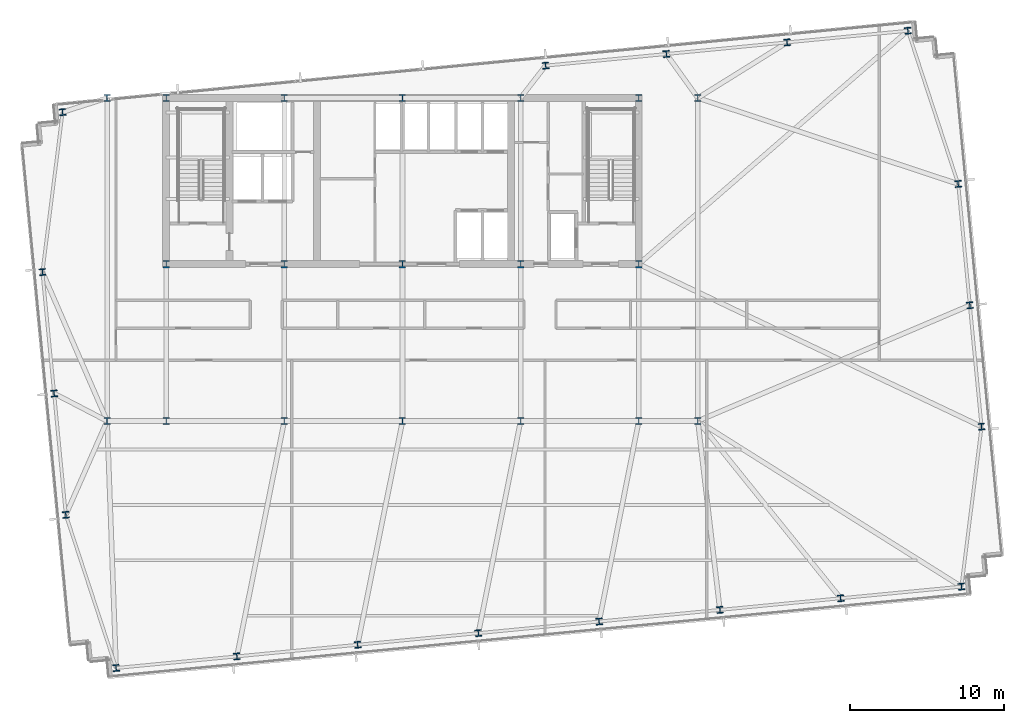
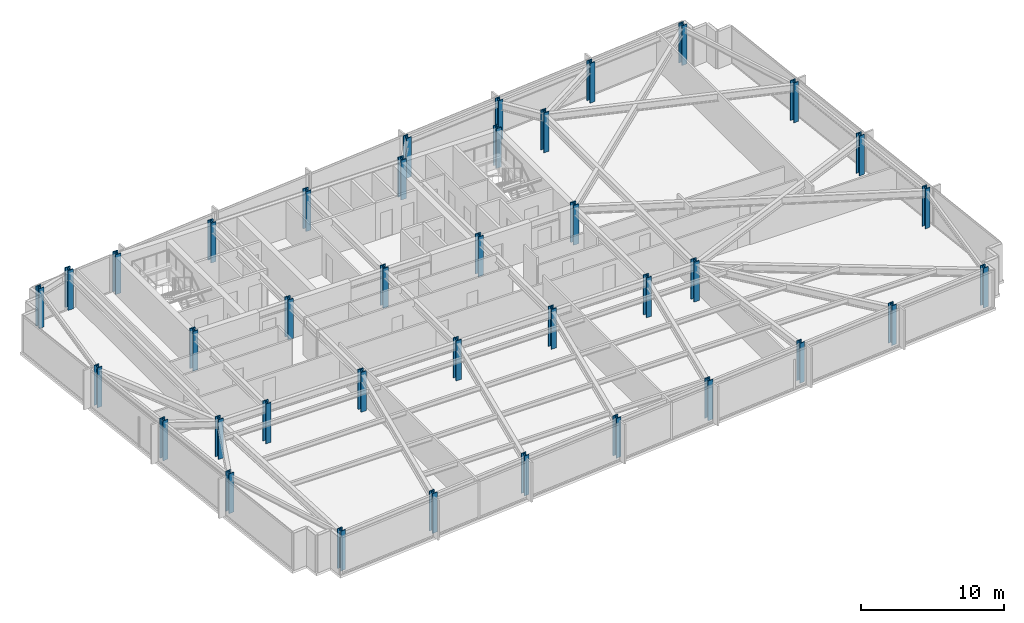
# One storey, part 1 of 32: 38 columns.
"""IFC4 building model written with IfcOpenShell, lengths in metres."""

from ifc_helpers import new_model, si_unit, direction, frame, origin, origin_2d, place, context, subcontext, project, spatial, i_section, extrude, material, material_profile, profile_set, type_object, element, save


model = new_model("IFC4")

# Units and contexts
model_context = context("Model", 3, precision=1e-05, world=origin(), true_north=direction((0.0, 1.0)))
body_context = subcontext(model_context, "Body", "Model", "MODEL_VIEW")
ifc_project = project(units=[si_unit("LENGTHUNIT", "METRE"), si_unit("AREAUNIT", "SQUARE_METRE"), si_unit("VOLUMEUNIT", "CUBIC_METRE"), si_unit("PLANEANGLEUNIT", "RADIAN"), si_unit("MASSUNIT", "GRAM", prefix="KILO")], contexts=[model_context])

# Site, building, storey
site_placement = place(None, origin())
site = spatial("IfcSite", under=ifc_project, at=site_placement, CompositionType="ELEMENT")
building_placement = place(site_placement, origin())
building = spatial("IfcBuilding", under=site, at=building_placement, Name="Yelkora Congress Tower", CompositionType="ELEMENT")
storey_placement = place(building_placement, frame((0.0, 0.0, 120.300048828125)))
storey = spatial("IfcBuildingStorey", under=building, at=storey_placement, Name="L32", CompositionType="ELEMENT", Elevation=120.300048828125)

# Columns
ifc_material = material(Name="Steel S460M", Category="steel")
ifc_material_profile_1 = material_profile(ifc_material, i_section(OverallWidth=0.412109375, OverallDepth=0.43505859375, WebThickness=0.035888671875, FlangeThickness=0.05810546875, FilletRadius=0.014892578125, at=origin_2d()), Name="HD 400x463")
ifc_profile_set_1 = profile_set([ifc_material_profile_1], Name="Steel S460M")
column_type_1 = type_object("IfcColumnType", Name="COL-HD-463-EXT", PredefinedType="COLUMN", material=ifc_profile_set_1)
for number, where, z_axis, x_axis, name in (
    (1, (19.785888671875, 9.144287109375, 0.0), (0.0, 0.0, 1.0), (0.995396198367, 0.09584575252, 0.0), "L32 Perimeter Column S01"),
    (2, (27.635498046875, 9.900146484375, 0.0), (0.0, 0.0, 1.0), (0.995396198367, 0.09584575252, 0.0), "L32 Perimeter Column S02"),
    (3, (35.48486328125, 10.656005859375, 0.0), (0.0, 0.0, 1.0), (0.995396198367, 0.09584575252, 0.0), "L32 Perimeter Column S03"),
    (4, (43.334228515625, 11.411865234375, 0.0), (0.0, 0.0, 1.0), (0.995396198367, 0.09584575252, 0.0), "L32 Perimeter Column S04"),
    (5, (51.18359375, 12.16748046875, 0.0), (0.0, 0.0, 1.0), (0.995396198367, 0.09584575252, 0.0), "L32 Perimeter Column S05"),
    (6, (59.033203125, 12.92333984375, 0.0), (0.0, 0.0, 1.0), (0.995396198367, 0.09584575252, 0.0), "L32 Perimeter Column S06"),
    (7, (66.882568359375, 13.67919921875, 0.0), (0.0, 0.0, 1.0), (0.995396198367, 0.09584575252, 0.0), "L32 Perimeter Column S07"),
    (8, (74.73193359375, 14.43505859375, 0.0), (0.0, 0.0, 1.0), (0.995396198367, 0.09584575252, 0.0), "L32 Perimeter Column S08"),
    (9, (16.306884765625, 45.27734375, 0.0), (0.0, 0.0, 1.0), (0.995396198367, 0.09584575252, 0.0), "L32 Perimeter Column N01"),
    (10, (47.70458984375, 48.300537109375, 0.0), (0.0, 0.0, 1.0), (0.995396198367, 0.09584575252, 0.0), "L32 Perimeter Column N05"),
    (11, (55.553955078125, 49.056396484375, 0.0), (0.0, 0.0, 1.0), (0.995396198367, 0.09584575252, 0.0), "L32 Perimeter Column N06"),
    (12, (63.4033203125, 49.81201171875, 0.0), (0.0, 0.0, 1.0), (0.995396198367, 0.09584575252, 0.0), "L32 Perimeter Column N07"),
    (13, (71.252685546875, 50.568115234375, 0.0), (0.0, 0.0, 1.0), (0.995396198367, 0.09584575252, 0.0), "L32 Perimeter Column N08"),
    (14, (16.5166015625, 19.101806640625, 0.0), (0.0, 0.0, 1.0), (0.995396198367, 0.09584575252, 0.0), "L32 Perimeter Column W01"),
    (15, (76.041259765625, 24.83349609375, 0.0), (0.0, 0.0, 1.0), (0.995396198367, 0.09584575252, 0.0), "L32 Perimeter Column E01"),
    (16, (15.757080078125, 26.990478515625, 0.0), (0.0, 0.0, 1.0), (0.995396198367, 0.09584575252, 0.0), "L32 Perimeter Column W02"),
    (17, (75.28173828125, 32.721923828125, 0.0), (0.0, 0.0, 1.0), (0.995396198367, 0.09584575252, 0.0), "L32 Perimeter Column E02"),
    (18, (14.997314453125, 34.87890625, 0.0), (0.0, 0.0, 1.0), (0.995396198367, 0.09584575252, 0.0), "L32 Perimeter Column W03"),
    (19, (74.522216796875, 40.610595703125, 0.0), (0.0, 0.0, 1.0), (0.995396198367, 0.09584575252, 0.0), "L32 Perimeter Column E03"),
):
    element("IfcColumn", number, at=place(storey_placement, frame(where, z_axis=z_axis, x_axis=x_axis)), inside=storey, type_object=column_type_1, Name=name, PredefinedType="COLUMN", context=body_context, shape_type="SweptSolid", body=[
        extrude(i_section(OverallWidth=0.412109375, OverallDepth=0.43505859375, WebThickness=0.035888671875, FlangeThickness=0.05810546875, FilletRadius=0.014892578125, at=origin_2d()), origin(), (0.0, 0.0, 1.0), 3.39990234375),
    ])
ifc_material_profile_2 = material_profile(ifc_material, i_section(OverallWidth=0.424072265625, OverallDepth=0.47412109375, WebThickness=0.047119140625, FlangeThickness=0.076904296875, FilletRadius=0.014892578125, at=origin_2d()), Name="HD 400x634")
ifc_profile_set_2 = profile_set([ifc_material_profile_2], Name="Steel S460M")
column_type_2 = type_object("IfcColumnType", Name="COL-HD-634", PredefinedType="COLUMN", material=ifc_profile_set_2)
for number, where, z_axis, x_axis, name in (
    (20, (23.0400390625, 35.39990234375, 0.0), (0.0, 0.0, 1.0), (1.0, 0.0, 0.0), "L32 Mega Column MC-S1"),
    (21, (23.0400390625, 46.199951171875, 0.0), (0.0, 0.0, 1.0), (1.0, 0.0, 0.0), "L32 Mega Column MC-N1"),
    (22, (23.0400390625, 25.199951171875, 0.0), (0.0, 0.0, 1.0), (1.0, 0.0, 0.0), "L32 Mega Column MC-D1"),
    (23, (30.719970703125, 35.39990234375, 0.0), (0.0, 0.0, 1.0), (1.0, 0.0, 0.0), "L32 Mega Column MC-S2"),
    (24, (30.719970703125, 46.199951171875, 0.0), (0.0, 0.0, 1.0), (1.0, 0.0, 0.0), "L32 Mega Column MC-N2"),
    (25, (30.719970703125, 25.199951171875, 0.0), (0.0, 0.0, 1.0), (1.0, 0.0, 0.0), "L32 Mega Column MC-D2"),
    (26, (38.39990234375, 35.39990234375, 0.0), (0.0, 0.0, 1.0), (1.0, 0.0, 0.0), "L32 Mega Column MC-S3"),
    (27, (38.39990234375, 46.199951171875, 0.0), (0.0, 0.0, 1.0), (1.0, 0.0, 0.0), "L32 Mega Column MC-N3"),
    (28, (38.39990234375, 25.199951171875, 0.0), (0.0, 0.0, 1.0), (1.0, 0.0, 0.0), "L32 Mega Column MC-D3"),
    (29, (46.080078125, 35.39990234375, 0.0), (0.0, 0.0, 1.0), (1.0, 0.0, 0.0), "L32 Mega Column MC-S4"),
    (30, (46.080078125, 46.199951171875, 0.0), (0.0, 0.0, 1.0), (1.0, 0.0, 0.0), "L32 Mega Column MC-N4"),
    (31, (46.080078125, 25.199951171875, 0.0), (0.0, 0.0, 1.0), (1.0, 0.0, 0.0), "L32 Mega Column MC-D4"),
    (32, (53.760009765625, 35.39990234375, 0.0), (0.0, 0.0, 1.0), (1.0, 0.0, 0.0), "L32 Mega Column MC-S5"),
    (33, (53.760009765625, 46.199951171875, 0.0), (0.0, 0.0, 1.0), (1.0, 0.0, 0.0), "L32 Mega Column MC-N5"),
    (34, (53.760009765625, 25.199951171875, 0.0), (0.0, 0.0, 1.0), (1.0, 0.0, 0.0), "L32 Mega Column MC-D5"),
    (35, (19.199951171875, 25.199951171875, 0.0), (0.0, 0.0, 1.0), (1.0, 0.0, 0.0), "L32 Mega Column MC-F1"),
    (36, (57.60009765625, 25.199951171875, 0.0), (0.0, 0.0, 1.0), (1.0, 0.0, 0.0), "L32 Mega Column MC-F2"),
    (37, (19.199951171875, 46.199951171875, 0.0), (0.0, 0.0, 1.0), (1.0, 0.0, 0.0), "L32 Mega Column MC-F3"),
    (38, (57.60009765625, 46.199951171875, 0.0), (0.0, 0.0, 1.0), (1.0, 0.0, 0.0), "L32 Mega Column MC-F4"),
):
    element("IfcColumn", number, at=place(storey_placement, frame(where, z_axis=z_axis, x_axis=x_axis)), inside=storey, type_object=column_type_2, Name=name, PredefinedType="COLUMN", context=body_context, shape_type="SweptSolid", body=[
        extrude(i_section(OverallWidth=0.424072265625, OverallDepth=0.47412109375, WebThickness=0.047119140625, FlangeThickness=0.076904296875, FilletRadius=0.014892578125, at=origin_2d()), origin(), (0.0, 0.0, 1.0), 3.39990234375),
    ])

save(model, "model.ifc")
